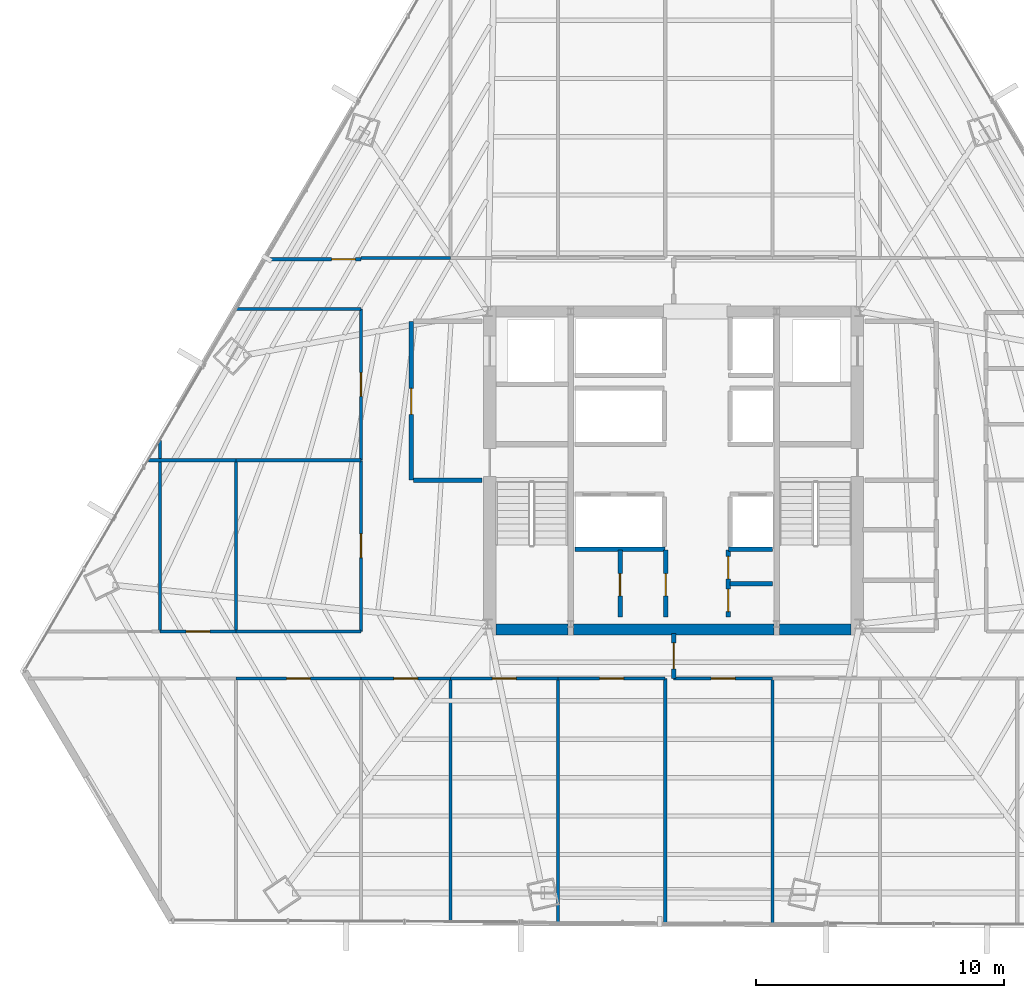
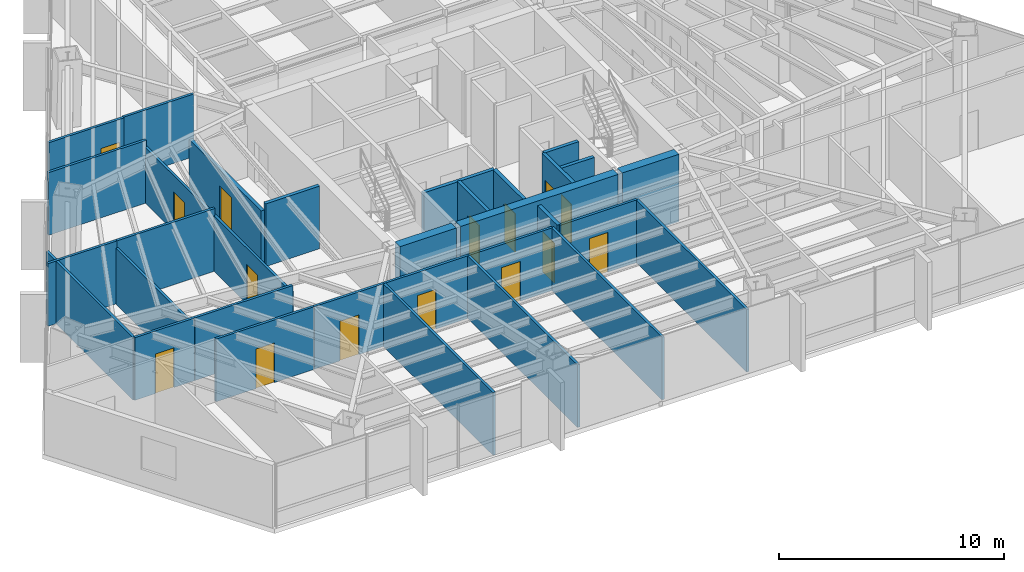
# One storey, part 30 of 36: 32 walls, 15 doors, 15 openings.
"""IFC4 building model written with IfcOpenShell, lengths in metres."""

from ifc_helpers import new_model, si_unit, direction, frame, frame_2d, origin, place, context, subcontext, project, spatial, rectangle, extrude, material, layer, layer_set, type_object, element, fill, save


model = new_model("IFC4")

# Units and contexts
model_context = context("Model", 3, precision=1e-05, world=origin(), true_north=direction((0.0, 1.0)))
body_context = subcontext(model_context, "Body", "Model", "MODEL_VIEW")
ifc_project = project(units=[si_unit("LENGTHUNIT", "METRE"), si_unit("AREAUNIT", "SQUARE_METRE"), si_unit("VOLUMEUNIT", "CUBIC_METRE"), si_unit("PLANEANGLEUNIT", "RADIAN"), si_unit("MASSUNIT", "GRAM", prefix="KILO")], contexts=[model_context])

# Site, building, storey
site_placement = place(None, origin())
site = spatial("IfcSite", under=ifc_project, at=site_placement, CompositionType="ELEMENT")
building_placement = place(site_placement, origin())
building = spatial("IfcBuilding", under=site, at=building_placement, Name="Caelisora Broadcast Tower", CompositionType="ELEMENT")
storey_placement = place(building_placement, frame((0.0, 0.0, 112.699951171875)))
storey = spatial("IfcBuildingStorey", under=building, at=storey_placement, Name="L29", CompositionType="ELEMENT", Elevation=112.699951171875)

# Walls
ifc_material_1 = material(Name="Concrete 50 MPa (AS 3600 S50)", Category="concrete")
ifc_layer_1 = layer(ifc_material_1, 0.449951171875, Name="Concrete 50 MPa (AS 3600 S50)")
ifc_layer_set_1 = layer_set([ifc_layer_1], Name="Concrete 50 MPa (AS 3600 S50)")
wall_type_1 = type_object("IfcWallType", Name="CW5", PredefinedType="SHEAR", material=ifc_layer_set_1)
wall_1_placement = place(storey_placement, frame((30.840087890625, 17.175048828125, 0.0), z_axis=(0.0, 0.0, 1.0), x_axis=(1.0, 0.0, 0.0)))
element("IfcWall", 1, at=wall_1_placement, inside=storey, type_object=wall_type_1, Name="L29 core shear wall CW5", PredefinedType="SHEAR", context=body_context, shape_type="SweptSolid", body=[
    extrude(rectangle(XDim=2.89990234375, YDim=0.449951171875, at=frame_2d((1.449951171875, 0.0))), origin(), (0.0, 0.0, 1.0), 3.650146484375),
])
wall_2_placement = place(storey_placement, frame((33.9599609375, 17.175048828125, 0.0), z_axis=(0.0, 0.0, 1.0), x_axis=(1.0, 0.0, 0.0)))
element("IfcWall", 2, at=wall_2_placement, inside=storey, type_object=wall_type_1, Name="L29 core shear wall CW5", PredefinedType="SHEAR", context=body_context, shape_type="SweptSolid", body=[
    extrude(rectangle(XDim=8.080078125, YDim=0.449951171875, at=frame_2d((4.0400390625, 0.0))), origin(), (0.0, 0.0, 1.0), 3.650146484375),
])
wall_3_placement = place(storey_placement, frame((42.260009765625, 17.175048828125, 0.0), z_axis=(0.0, 0.0, 1.0), x_axis=(1.0, 0.0, 0.0)))
element("IfcWall", 3, at=wall_3_placement, inside=storey, type_object=wall_type_1, Name="L29 core shear wall CW5", PredefinedType="SHEAR", context=body_context, shape_type="SweptSolid", body=[
    extrude(rectangle(XDim=2.89990234375, YDim=0.449951171875, at=frame_2d((1.449951171875, 0.0))), origin(), (0.0, 0.0, 1.0), 3.650146484375),
])

# Wall, opening, door
ifc_material_2 = material(Name="Fire-Rated Gypsum Shaft and Compartment Wall", Category="gypsum")
ifc_layer_2 = layer(ifc_material_2, 0.179931640625, Name="Fire-Rated Gypsum Shaft and Compartment Wall")
ifc_layer_set_2 = layer_set([ifc_layer_2], Name="Fire-Rated Gypsum Shaft and Compartment Wall")
wall_type_2 = type_object("IfcWallType", Name="PW2", PredefinedType="PARTITIONING", material=ifc_layer_set_2)
wall_4_placement = place(storey_placement, frame((27.419921875, 23.199951171875, 0.0), z_axis=(0.0, 0.0, 1.0), x_axis=(0.0, 1.0, 0.0)))
wall_4 = element("IfcWall", 4, at=wall_4_placement, inside=storey, type_object=wall_type_2, Name="L29 fire compartment wall PW2", PredefinedType="PARTITIONING", context=body_context, shape_type="SweptSolid", body=[
    extrude(rectangle(XDim=6.400146484375, YDim=0.179931640625, at=frame_2d((3.2001953125, 0.0))), origin(), (0.0, 0.0, 1.0), 3.0263671875),
])
opening_1_placement = place(wall_4_placement, frame((2.64990234375, 0.0, 0.0)))
opening_1 = element("IfcOpeningElement", 5, at=opening_1_placement, cuts=wall_4, Name="Opening FD02", PredefinedType="OPENING", context=body_context, shape_type="SweptSolid", body=[
    extrude(rectangle(XDim=1.050048828125, YDim=2.14990234375, at=frame_2d((0.52490234375, 1.074951171875))), frame((0.0, 0.10205078125, 0.0), z_axis=(0.0, -1.0, 0.0), x_axis=(1.0, 0.0, 0.0)), (0.0, 0.0, 1.0), 0.203857421875),
])
ifc_material_3 = material(Name="Single-Leaf Steel Fire Lobby Door", Category="steel")
door_type_1 = type_object("IfcDoorType", Name="FD02", OperationType="NOTDEFINED", PredefinedType="DOOR", material=ifc_material_3)
door_1_placement = place(opening_1_placement, origin())
door_1 = element("IfcDoor", 6, at=door_1_placement, inside=storey, type_object=door_type_1, Name="L29 door FD02 (L29-DR-P01D1)", OperationType="SINGLE_SWING_RIGHT", OverallHeight=2.14990234375, OverallWidth=1.050048828125, PredefinedType="DOOR", context=body_context, shape_type="SweptSolid", body=[
    extrude(rectangle(XDim=1.050048828125, YDim=2.14990234375, at=frame_2d((0.52490234375, 1.074951171875))), frame((0.0, 0.02490234375, 0.0), z_axis=(0.0, -1.0, 0.0), x_axis=(1.0, 0.0, 0.0)), (0.0, 0.0, 1.0), 0.050048828125),
])
fill(opening_1, door_1)

# Walls
wall_5_placement = place(storey_placement, frame((27.52001953125, 23.199951171875, 0.0), z_axis=(0.0, 0.0, 1.0), x_axis=(1.0, 0.0, 0.0)))
element("IfcWall", 7, at=wall_5_placement, inside=storey, type_object=wall_type_2, Name="L29 fire compartment wall PW2", PredefinedType="PARTITIONING", context=body_context, shape_type="SweptSolid", body=[
    extrude(rectangle(XDim=2.760009765625, YDim=0.179931640625, at=frame_2d((1.3798828125, 0.0))), origin(), (0.0, 0.0, 1.0), 3.400146484375),
])
wall_6_placement = place(storey_placement, frame((34.02001953125, 20.419921875, 0.0), z_axis=(0.0, 0.0, 1.0), x_axis=(1.0, 0.0, 0.0)))
element("IfcWall", 8, at=wall_6_placement, inside=storey, type_object=wall_type_2, Name="L29 fire compartment wall PW2", PredefinedType="PARTITIONING", context=body_context, shape_type="SweptSolid", body=[
    extrude(rectangle(XDim=3.639892578125, YDim=0.179931640625, at=frame_2d((1.81982421875, 0.0))), origin(), (0.0, 0.0, 1.0), 3.400146484375),
])
wall_7_placement = place(storey_placement, frame((40.219970703125, 20.419921875, 0.0), z_axis=(0.0, 0.0, 1.0), x_axis=(1.0, 0.0, 0.0)))
element("IfcWall", 9, at=wall_7_placement, inside=storey, type_object=wall_type_2, Name="L29 fire compartment wall PW2", PredefinedType="PARTITIONING", context=body_context, shape_type="SweptSolid", body=[
    extrude(rectangle(XDim=1.760009765625, YDim=0.179931640625, at=frame_2d((0.8798828125, 0.0))), origin(), (0.0, 0.0, 1.0), 3.400146484375),
])

# Wall, opening, door
wall_8_placement = place(storey_placement, frame((35.840087890625, 17.679931640625, 0.0), z_axis=(0.0, 0.0, 1.0), x_axis=(0.0, 1.0, 0.0)))
wall_8 = element("IfcWall", 10, at=wall_8_placement, inside=storey, type_object=wall_type_2, Name="L29 fire compartment wall PW2", PredefinedType="PARTITIONING", context=body_context, shape_type="SweptSolid", body=[
    extrude(rectangle(XDim=2.699951171875, YDim=0.179931640625, at=frame_2d((1.35009765625, 0.0))), origin(), (0.0, 0.0, 1.0), 3.400146484375),
])
opening_2_placement = place(wall_8_placement, frame((0.85009765625, 0.0, 0.0)))
opening_2 = element("IfcOpeningElement", 11, at=opening_2_placement, cuts=wall_8, Name="Opening FD03", PredefinedType="OPENING", context=body_context, shape_type="SweptSolid", body=[
    extrude(rectangle(XDim=0.89990234375, YDim=2.10009765625, at=frame_2d((0.449951171875, 1.050048828125))), frame((0.0, 0.10205078125, 0.0), z_axis=(0.0, -1.0, 0.0), x_axis=(1.0, 0.0, 0.0)), (0.0, 0.0, 1.0), 0.203857421875),
])
ifc_material_4 = material(Name="Single-Leaf Steel Riser Fire Access Door", Category="steel")
door_type_2 = type_object("IfcDoorType", Name="FD03", OperationType="NOTDEFINED", PredefinedType="DOOR", material=ifc_material_4)
door_2_placement = place(opening_2_placement, origin())
door_2 = element("IfcDoor", 12, at=door_2_placement, inside=storey, type_object=door_type_2, Name="L29 door FD03 (L29-DR-P11D1)", OperationType="SINGLE_SWING_RIGHT", OverallHeight=2.10009765625, OverallWidth=0.89990234375, PredefinedType="DOOR", context=body_context, shape_type="SweptSolid", body=[
    extrude(rectangle(XDim=0.89990234375, YDim=2.10009765625, at=frame_2d((0.449951171875, 1.050048828125))), frame((0.0, 0.02490234375, 0.0), z_axis=(0.0, -1.0, 0.0), x_axis=(1.0, 0.0, 0.0)), (0.0, 0.0, 1.0), 0.050048828125),
])
fill(opening_2, door_2)

wall_9_placement = place(storey_placement, frame((37.679931640625, 17.679931640625, 0.0), z_axis=(0.0, 0.0, 1.0), x_axis=(0.0, 1.0, 0.0)))
wall_9 = element("IfcWall", 13, at=wall_9_placement, inside=storey, type_object=wall_type_2, Name="L29 fire compartment wall PW2", PredefinedType="PARTITIONING", context=body_context, shape_type="SweptSolid", body=[
    extrude(rectangle(XDim=2.699951171875, YDim=0.179931640625, at=frame_2d((1.35009765625, 0.0))), origin(), (0.0, 0.0, 1.0), 3.400146484375),
])
opening_3_placement = place(wall_9_placement, frame((0.85009765625, 0.0, 0.0)))
opening_3 = element("IfcOpeningElement", 14, at=opening_3_placement, cuts=wall_9, Name="Opening FD03", PredefinedType="OPENING", context=body_context, shape_type="SweptSolid", body=[
    extrude(rectangle(XDim=0.89990234375, YDim=2.10009765625, at=frame_2d((0.449951171875, 1.050048828125))), frame((0.0, 0.10205078125, 0.0), z_axis=(0.0, -1.0, 0.0), x_axis=(1.0, 0.0, 0.0)), (0.0, 0.0, 1.0), 0.203857421875),
])
door_3_placement = place(opening_3_placement, origin())
door_3 = element("IfcDoor", 15, at=door_3_placement, inside=storey, type_object=door_type_2, Name="L29 door FD03 (L29-DR-P12D1)", OperationType="SINGLE_SWING_LEFT", OverallHeight=2.10009765625, OverallWidth=0.89990234375, PredefinedType="DOOR", context=body_context, shape_type="SweptSolid", body=[
    extrude(rectangle(XDim=0.89990234375, YDim=2.10009765625, at=frame_2d((0.449951171875, 1.050048828125))), frame((0.0, 0.02490234375, 0.0), z_axis=(0.0, -1.0, 0.0), x_axis=(1.0, 0.0, 0.0)), (0.0, 0.0, 1.0), 0.050048828125),
])
fill(opening_3, door_3)

# Wall
wall_10_placement = place(storey_placement, frame((40.280029296875, 19.02001953125, 0.0), z_axis=(0.0, 0.0, 1.0), x_axis=(1.0, 0.0, 0.0)))
element("IfcWall", 16, at=wall_10_placement, inside=storey, type_object=wall_type_2, Name="L29 fire compartment wall PW2", PredefinedType="PARTITIONING", context=body_context, shape_type="SweptSolid", body=[
    extrude(rectangle(XDim=1.699951171875, YDim=0.179931640625, at=frame_2d((0.85009765625, 0.0))), origin(), (0.0, 0.0, 1.0), 3.400146484375),
])

# Wall, openings, doors
wall_11_placement = place(storey_placement, frame((40.199951171875, 17.679931640625, 0.0), z_axis=(0.0, 0.0, 1.0), x_axis=(0.0, 1.0, 0.0)))
wall_11 = element("IfcWall", 17, at=wall_11_placement, inside=storey, type_object=wall_type_2, Name="L29 fire compartment wall PW2", PredefinedType="PARTITIONING", context=body_context, shape_type="SweptSolid", body=[
    extrude(rectangle(XDim=2.699951171875, YDim=0.179931640625, at=frame_2d((1.35009765625, 0.0))), origin(), (0.0, 0.0, 1.0), 3.400146484375),
])
opening_4_placement = place(wall_11_placement, frame((0.219970703125, 0.0, 0.0)))
opening_4 = element("IfcOpeningElement", 18, at=opening_4_placement, cuts=wall_11, Name="Opening FD03", PredefinedType="OPENING", context=body_context, shape_type="SweptSolid", body=[
    extrude(rectangle(XDim=0.89990234375, YDim=2.10009765625, at=frame_2d((0.449951171875, 1.050048828125))), frame((0.0, 0.10205078125, 0.0), z_axis=(0.0, -1.0, 0.0), x_axis=(1.0, 0.0, 0.0)), (0.0, 0.0, 1.0), 0.203857421875),
])
opening_5_placement = place(wall_11_placement, frame((1.5400390625, 0.0, 0.0)))
opening_5 = element("IfcOpeningElement", 19, at=opening_5_placement, cuts=wall_11, Name="Opening FD03", PredefinedType="OPENING", context=body_context, shape_type="SweptSolid", body=[
    extrude(rectangle(XDim=0.89990234375, YDim=2.10009765625, at=frame_2d((0.449951171875, 1.050048828125))), frame((0.0, 0.10205078125, 0.0), z_axis=(0.0, -1.0, 0.0), x_axis=(1.0, 0.0, 0.0)), (0.0, 0.0, 1.0), 0.203857421875),
])
door_4_placement = place(opening_4_placement, origin())
door_4 = element("IfcDoor", 20, at=door_4_placement, inside=storey, type_object=door_type_2, Name="L29 door FD03 (L29-DR-P14D1)", OperationType="SINGLE_SWING_RIGHT", OverallHeight=2.10009765625, OverallWidth=0.89990234375, PredefinedType="DOOR", context=body_context, shape_type="SweptSolid", body=[
    extrude(rectangle(XDim=0.89990234375, YDim=2.10009765625, at=frame_2d((0.449951171875, 1.050048828125))), frame((0.0, 0.02490234375, 0.0), z_axis=(0.0, -1.0, 0.0), x_axis=(1.0, 0.0, 0.0)), (0.0, 0.0, 1.0), 0.050048828125),
])
fill(opening_4, door_4)
door_5_placement = place(opening_5_placement, origin())
door_5 = element("IfcDoor", 21, at=door_5_placement, inside=storey, type_object=door_type_2, Name="L29 door FD03 (L29-DR-P14D2)", OperationType="SINGLE_SWING_LEFT", OverallHeight=2.10009765625, OverallWidth=0.89990234375, PredefinedType="DOOR", context=body_context, shape_type="SweptSolid", body=[
    extrude(rectangle(XDim=0.89990234375, YDim=2.10009765625, at=frame_2d((0.449951171875, 1.050048828125))), frame((0.0, 0.02490234375, 0.0), z_axis=(0.0, -1.0, 0.0), x_axis=(1.0, 0.0, 0.0)), (0.0, 0.0, 1.0), 0.050048828125),
])
fill(opening_5, door_5)

# Wall, opening, door
wall_12_placement = place(storey_placement, frame((38.0, 15.205078125, 0.0), z_axis=(0.0, 0.0, 1.0), x_axis=(0.0, 1.0, 0.0)))
wall_12 = element("IfcWall", 22, at=wall_12_placement, inside=storey, type_object=wall_type_2, Name="L29 fire compartment wall PW2", PredefinedType="PARTITIONING", context=body_context, shape_type="SweptSolid", body=[
    extrude(rectangle(XDim=1.81982421875, YDim=0.179931640625, at=frame_2d((0.909912109375, 0.0))), origin(), (0.0, 0.0, 1.0), 3.400146484375),
])
opening_6_placement = place(wall_12_placement, frame((0.385009765625, 0.0, 0.0)))
opening_6 = element("IfcOpeningElement", 23, at=opening_6_placement, cuts=wall_12, Name="Opening FD02", PredefinedType="OPENING", context=body_context, shape_type="SweptSolid", body=[
    extrude(rectangle(XDim=1.050048828125, YDim=2.14990234375, at=frame_2d((0.52490234375, 1.074951171875))), frame((0.0, 0.10205078125, 0.0), z_axis=(0.0, -1.0, 0.0), x_axis=(1.0, 0.0, 0.0)), (0.0, 0.0, 1.0), 0.203857421875),
])
door_6_placement = place(opening_6_placement, origin())
door_6 = element("IfcDoor", 24, at=door_6_placement, inside=storey, type_object=door_type_1, Name="L29 door FD02 (L29-DR-P83D1)", OperationType="SINGLE_SWING_RIGHT", OverallHeight=2.14990234375, OverallWidth=1.050048828125, PredefinedType="DOOR", context=body_context, shape_type="SweptSolid", body=[
    extrude(rectangle(XDim=1.050048828125, YDim=2.14990234375, at=frame_2d((0.52490234375, 1.074951171875))), frame((0.0, 0.02490234375, 0.0), z_axis=(0.0, -1.0, 0.0), x_axis=(1.0, 0.0, 0.0)), (0.0, 0.0, 1.0), 0.050048828125),
])
fill(opening_6, door_6)

# Walls
ifc_material_5 = material(Name="Acoustic Steel-Stud Plasterboard Partition", Category="gypsum")
ifc_layer_3 = layer(ifc_material_5, 0.1298828125, Name="Acoustic Steel-Stud Plasterboard Partition")
ifc_layer_set_3 = layer_set([ifc_layer_3], Name="Acoustic Steel-Stud Plasterboard Partition")
wall_type_3 = type_object("IfcWallType", Name="PW3", PredefinedType="PARTITIONING", material=ifc_layer_set_3)
wall_13_placement = place(storey_placement, frame((41.989990234375, 5.336181640625, 0.0), z_axis=(0.0, 0.0, 1.0), x_axis=(0.0, 1.0, 0.0)))
element("IfcWall", 25, at=wall_13_placement, inside=storey, type_object=wall_type_3, Name="L29 internal partition PW3", PredefinedType="PARTITIONING", context=body_context, shape_type="SweptSolid", body=[
    extrude(rectangle(XDim=9.85888671875, YDim=0.1298828125, at=frame_2d((4.929443359375, 0.0))), origin(), (0.0, 0.0, 1.0), 3.400146484375),
])
wall_14_placement = place(storey_placement, frame((37.659912109375, 5.35595703125, 0.0), z_axis=(0.0, 0.0, 1.0), x_axis=(0.0, 1.0, 0.0)))
element("IfcWall", 26, at=wall_14_placement, inside=storey, type_object=wall_type_3, Name="L29 internal partition PW3", PredefinedType="PARTITIONING", context=body_context, shape_type="SweptSolid", body=[
    extrude(rectangle(XDim=9.839111328125, YDim=0.1298828125, at=frame_2d((4.91943359375, 0.0))), origin(), (0.0, 0.0, 1.0), 3.400146484375),
])
wall_15_placement = place(storey_placement, frame((33.340087890625, 5.3759765625, 0.0), z_axis=(0.0, 0.0, 1.0), x_axis=(0.0, 1.0, 0.0)))
element("IfcWall", 27, at=wall_15_placement, inside=storey, type_object=wall_type_3, Name="L29 internal partition PW3", PredefinedType="PARTITIONING", context=body_context, shape_type="SweptSolid", body=[
    extrude(rectangle(XDim=9.819091796875, YDim=0.1298828125, at=frame_2d((4.90966796875, 0.0))), origin(), (0.0, 0.0, 1.0), 3.400146484375),
])
wall_16_placement = place(storey_placement, frame((29.010009765625, 5.39599609375, 0.0), z_axis=(0.0, 0.0, 1.0), x_axis=(0.0, 1.0, 0.0)))
element("IfcWall", 28, at=wall_16_placement, inside=storey, type_object=wall_type_3, Name="L29 internal partition PW3", PredefinedType="PARTITIONING", context=body_context, shape_type="SweptSolid", body=[
    extrude(rectangle(XDim=9.799072265625, YDim=0.1298828125, at=frame_2d((4.8994140625, 0.0))), origin(), (0.0, 0.0, 1.0), 3.400146484375),
])

# Wall, opening, door
wall_17_placement = place(storey_placement, frame((25.39990234375, 17.10498046875, 0.0), z_axis=(0.0, 0.0, 1.0), x_axis=(0.0, 1.0, 0.0)))
wall_17 = element("IfcWall", 29, at=wall_17_placement, inside=storey, type_object=wall_type_3, Name="L29 internal partition PW3", PredefinedType="PARTITIONING", context=body_context, shape_type="SweptSolid", body=[
    extrude(rectangle(XDim=6.89013671875, YDim=0.1298828125, at=frame_2d((3.445068359375, 0.0))), origin(), (0.0, 0.0, 1.0), 3.0263671875),
])
opening_7_placement = place(wall_17_placement, frame((2.965087890625, 0.0, 0.0)))
opening_7 = element("IfcOpeningElement", 30, at=opening_7_placement, cuts=wall_17, Name="Opening D01", PredefinedType="OPENING", context=body_context, shape_type="SweptSolid", body=[
    extrude(rectangle(XDim=0.9599609375, YDim=2.14990234375, at=frame_2d((0.47998046875, 1.074951171875))), frame((0.0, 0.076904296875, 0.0), z_axis=(0.0, -1.0, 0.0), x_axis=(1.0, 0.0, 0.0)), (0.0, 0.0, 1.0), 0.15380859375),
])
ifc_material_6 = material(Name="Solid-Core Timber Acoustic Office Door", Category="wood")
door_type_3 = type_object("IfcDoorType", Name="D01", OperationType="NOTDEFINED", PredefinedType="DOOR", material=ifc_material_6)
door_7_placement = place(opening_7_placement, origin())
door_7 = element("IfcDoor", 31, at=door_7_placement, inside=storey, type_object=door_type_3, Name="L29 door D01 (L29-DR-P47D1)", OperationType="SINGLE_SWING_LEFT", OverallHeight=2.14990234375, OverallWidth=0.9599609375, PredefinedType="DOOR", context=body_context, shape_type="SweptSolid", body=[
    extrude(rectangle(XDim=0.9599609375, YDim=2.14990234375, at=frame_2d((0.47998046875, 1.074951171875))), frame((0.0, 0.02490234375, 0.0), z_axis=(0.0, -1.0, 0.0), x_axis=(1.0, 0.0, 0.0)), (0.0, 0.0, 1.0), 0.050048828125),
])
fill(opening_7, door_7)

# Walls
wall_18_placement = place(storey_placement, frame((17.2900390625, 17.10498046875, 0.0), z_axis=(0.0, 0.0, 1.0), x_axis=(0.0, 1.0, 0.0)))
element("IfcWall", 32, at=wall_18_placement, inside=storey, type_object=wall_type_3, Name="L29 internal partition PW3", PredefinedType="PARTITIONING", context=body_context, shape_type="SweptSolid", body=[
    extrude(rectangle(XDim=7.69873046875, YDim=0.1298828125, at=frame_2d((3.849365234375, 0.0))), origin(), (0.0, 0.0, 1.0), 3.400146484375),
])
wall_19_placement = place(storey_placement, frame((20.360107421875, 17.10498046875, 0.0), z_axis=(0.0, 0.0, 1.0), x_axis=(0.0, 1.0, 0.0)))
element("IfcWall", 33, at=wall_19_placement, inside=storey, type_object=wall_type_3, Name="L29 internal partition PW3", PredefinedType="PARTITIONING", context=body_context, shape_type="SweptSolid", body=[
    extrude(rectangle(XDim=6.89013671875, YDim=0.1298828125, at=frame_2d((3.445068359375, 0.0))), origin(), (0.0, 0.0, 1.0), 3.0263671875),
])

# Wall, opening, door
wall_20_placement = place(storey_placement, frame((25.39990234375, 24.0048828125, 0.0), z_axis=(0.0, 0.0, 1.0), x_axis=(0.0, 1.0, 0.0)))
wall_20 = element("IfcWall", 34, at=wall_20_placement, inside=storey, type_object=wall_type_3, Name="L29 internal partition PW3", PredefinedType="PARTITIONING", context=body_context, shape_type="SweptSolid", body=[
    extrude(rectangle(XDim=6.090087890625, YDim=0.1298828125, at=frame_2d((3.044921875, 0.0))), origin(), (0.0, 0.0, 1.0), 3.0263671875),
])
opening_8_placement = place(wall_20_placement, frame((2.56494140625, 0.0, 0.0)))
opening_8 = element("IfcOpeningElement", 35, at=opening_8_placement, cuts=wall_20, Name="Opening D01", PredefinedType="OPENING", context=body_context, shape_type="SweptSolid", body=[
    extrude(rectangle(XDim=0.9599609375, YDim=2.14990234375, at=frame_2d((0.47998046875, 1.074951171875))), frame((0.0, 0.076904296875, 0.0), z_axis=(0.0, -1.0, 0.0), x_axis=(1.0, 0.0, 0.0)), (0.0, 0.0, 1.0), 0.15380859375),
])
door_8_placement = place(opening_8_placement, origin())
door_8 = element("IfcDoor", 36, at=door_8_placement, inside=storey, type_object=door_type_3, Name="L29 door D01 (L29-DR-P52D1)", OperationType="SINGLE_SWING_RIGHT", OverallHeight=2.14990234375, OverallWidth=0.9599609375, PredefinedType="DOOR", context=body_context, shape_type="SweptSolid", body=[
    extrude(rectangle(XDim=0.9599609375, YDim=2.14990234375, at=frame_2d((0.47998046875, 1.074951171875))), frame((0.0, 0.02490234375, 0.0), z_axis=(0.0, -1.0, 0.0), x_axis=(1.0, 0.0, 0.0)), (0.0, 0.0, 1.0), 0.050048828125),
])
fill(opening_8, door_8)

# Walls
wall_21_placement = place(storey_placement, frame((25.39501953125, 30.10009765625, 0.0), z_axis=(0.0, 0.0, 1.0), x_axis=(-1.0, 0.0, 0.0)))
element("IfcWall", 37, at=wall_21_placement, inside=storey, type_object=wall_type_3, Name="L29 internal partition PW3", PredefinedType="PARTITIONING", context=body_context, shape_type="SweptSolid", body=[
    extrude(rectangle(XDim=5.019287109375, YDim=0.1298828125, at=frame_2d((2.509765625, 0.0))), origin(), (0.0, 0.0, 1.0), 3.400146484375),
])
wall_22_placement = place(storey_placement, frame((20.364990234375, 17.10009765625, 0.0), z_axis=(0.0, 0.0, 1.0), x_axis=(1.0, 0.0, 0.0)))
element("IfcWall", 38, at=wall_22_placement, inside=storey, type_object=wall_type_3, Name="L29 internal partition PW3", PredefinedType="PARTITIONING", context=body_context, shape_type="SweptSolid", body=[
    extrude(rectangle(XDim=5.030029296875, YDim=0.1298828125, at=frame_2d((2.51513671875, 0.0))), origin(), (0.0, 0.0, 1.0), 3.400146484375),
])

# Wall, opening, door
wall_23_placement = place(storey_placement, frame((20.364990234375, 15.199951171875, 0.0), z_axis=(0.0, 0.0, 1.0), x_axis=(1.0, 0.0, 0.0)))
wall_23 = element("IfcWall", 39, at=wall_23_placement, inside=storey, type_object=wall_type_3, Name="L29 internal partition PW3", PredefinedType="PARTITIONING", context=body_context, shape_type="SweptSolid", body=[
    extrude(rectangle(XDim=5.030029296875, YDim=0.1298828125, at=frame_2d((2.51513671875, 0.0))), origin(), (0.0, 0.0, 1.0), 3.400146484375),
])
opening_9_placement = place(wall_23_placement, frame((2.034912109375, 0.0, 0.0)))
opening_9 = element("IfcOpeningElement", 40, at=opening_9_placement, cuts=wall_23, Name="Opening D01", PredefinedType="OPENING", context=body_context, shape_type="SweptSolid", body=[
    extrude(rectangle(XDim=0.9599609375, YDim=2.14990234375, at=frame_2d((0.47998046875, 1.074951171875))), frame((0.0, 0.076904296875, 0.0), z_axis=(0.0, -1.0, 0.0), x_axis=(1.0, 0.0, 0.0)), (0.0, 0.0, 1.0), 0.15380859375),
])
door_9_placement = place(opening_9_placement, origin())
door_9 = element("IfcDoor", 41, at=door_9_placement, inside=storey, type_object=door_type_3, Name="L29 door D01 (L29-DR-P58D1)", OperationType="SINGLE_SWING_RIGHT", OverallHeight=2.14990234375, OverallWidth=0.9599609375, PredefinedType="DOOR", context=body_context, shape_type="SweptSolid", body=[
    extrude(rectangle(XDim=0.9599609375, YDim=2.14990234375, at=frame_2d((0.47998046875, 1.074951171875))), frame((0.0, 0.02490234375, 0.0), z_axis=(0.0, -1.0, 0.0), x_axis=(1.0, 0.0, 0.0)), (0.0, 0.0, 1.0), 0.050048828125),
])
fill(opening_9, door_9)

# Wall
wall_24_placement = place(storey_placement, frame((20.364990234375, 24.0, 0.0), z_axis=(0.0, 0.0, 1.0), x_axis=(1.0, 0.0, 0.0)))
element("IfcWall", 42, at=wall_24_placement, inside=storey, type_object=wall_type_3, Name="L29 internal partition PW3", PredefinedType="PARTITIONING", context=body_context, shape_type="SweptSolid", body=[
    extrude(rectangle(XDim=5.030029296875, YDim=0.1298828125, at=frame_2d((2.51513671875, 0.0))), origin(), (0.0, 0.0, 1.0), 3.400146484375),
])

# Wall, opening, door
wall_25_placement = place(storey_placement, frame((29.014892578125, 15.199951171875, 0.0), z_axis=(0.0, 0.0, 1.0), x_axis=(1.0, 0.0, 0.0)))
wall_25 = element("IfcWall", 43, at=wall_25_placement, inside=storey, type_object=wall_type_3, Name="L29 internal partition PW3", PredefinedType="PARTITIONING", context=body_context, shape_type="SweptSolid", body=[
    extrude(rectangle(XDim=4.320068359375, YDim=0.1298828125, at=frame_2d((2.16015625, 0.0))), origin(), (0.0, 0.0, 1.0), 3.400146484375),
])
opening_10_placement = place(wall_25_placement, frame((1.679931640625, 0.0, 0.0)))
opening_10 = element("IfcOpeningElement", 44, at=opening_10_placement, cuts=wall_25, Name="Opening D01", PredefinedType="OPENING", context=body_context, shape_type="SweptSolid", body=[
    extrude(rectangle(XDim=0.9599609375, YDim=2.14990234375, at=frame_2d((0.47998046875, 1.074951171875))), frame((0.0, 0.076904296875, 0.0), z_axis=(0.0, -1.0, 0.0), x_axis=(1.0, 0.0, 0.0)), (0.0, 0.0, 1.0), 0.15380859375),
])
door_10_placement = place(opening_10_placement, origin())
door_10 = element("IfcDoor", 45, at=door_10_placement, inside=storey, type_object=door_type_3, Name="L29 door D01 (L29-DR-P63D1)", OperationType="SINGLE_SWING_LEFT", OverallHeight=2.14990234375, OverallWidth=0.9599609375, PredefinedType="DOOR", context=body_context, shape_type="SweptSolid", body=[
    extrude(rectangle(XDim=0.9599609375, YDim=2.14990234375, at=frame_2d((0.47998046875, 1.074951171875))), frame((0.0, 0.02490234375, 0.0), z_axis=(0.0, -1.0, 0.0), x_axis=(1.0, 0.0, 0.0)), (0.0, 0.0, 1.0), 0.050048828125),
])
fill(opening_10, door_10)

wall_26_placement = place(storey_placement, frame((33.344970703125, 15.199951171875, 0.0), z_axis=(0.0, 0.0, 1.0), x_axis=(1.0, 0.0, 0.0)))
wall_26 = element("IfcWall", 46, at=wall_26_placement, inside=storey, type_object=wall_type_3, Name="L29 internal partition PW3", PredefinedType="PARTITIONING", context=body_context, shape_type="SweptSolid", body=[
    extrude(rectangle(XDim=4.31005859375, YDim=0.1298828125, at=frame_2d((2.155029296875, 0.0))), origin(), (0.0, 0.0, 1.0), 3.400146484375),
])
opening_11_placement = place(wall_26_placement, frame((1.675048828125, 0.0, 0.0)))
opening_11 = element("IfcOpeningElement", 47, at=opening_11_placement, cuts=wall_26, Name="Opening D01", PredefinedType="OPENING", context=body_context, shape_type="SweptSolid", body=[
    extrude(rectangle(XDim=0.9599609375, YDim=2.14990234375, at=frame_2d((0.47998046875, 1.074951171875))), frame((0.0, 0.076904296875, 0.0), z_axis=(0.0, -1.0, 0.0), x_axis=(1.0, 0.0, 0.0)), (0.0, 0.0, 1.0), 0.15380859375),
])
door_11_placement = place(opening_11_placement, origin())
door_11 = element("IfcDoor", 48, at=door_11_placement, inside=storey, type_object=door_type_3, Name="L29 door D01 (L29-DR-P70D1)", OperationType="SINGLE_SWING_LEFT", OverallHeight=2.14990234375, OverallWidth=0.9599609375, PredefinedType="DOOR", context=body_context, shape_type="SweptSolid", body=[
    extrude(rectangle(XDim=0.9599609375, YDim=2.14990234375, at=frame_2d((0.47998046875, 1.074951171875))), frame((0.0, 0.02490234375, 0.0), z_axis=(0.0, -1.0, 0.0), x_axis=(1.0, 0.0, 0.0)), (0.0, 0.0, 1.0), 0.050048828125),
])
fill(opening_11, door_11)

wall_27_placement = place(storey_placement, frame((38.0048828125, 15.199951171875, 0.0), z_axis=(0.0, 0.0, 1.0), x_axis=(1.0, 0.0, 0.0)))
wall_27 = element("IfcWall", 49, at=wall_27_placement, inside=storey, type_object=wall_type_3, Name="L29 internal partition PW3", PredefinedType="PARTITIONING", context=body_context, shape_type="SweptSolid", body=[
    extrude(rectangle(XDim=3.980224609375, YDim=0.1298828125, at=frame_2d((1.990234375, 0.0))), origin(), (0.0, 0.0, 1.0), 3.400146484375),
])
opening_12_placement = place(wall_27_placement, frame((1.510009765625, 0.0, 0.0)))
opening_12 = element("IfcOpeningElement", 50, at=opening_12_placement, cuts=wall_27, Name="Opening D01", PredefinedType="OPENING", context=body_context, shape_type="SweptSolid", body=[
    extrude(rectangle(XDim=0.9599609375, YDim=2.14990234375, at=frame_2d((0.47998046875, 1.074951171875))), frame((0.0, 0.076904296875, 0.0), z_axis=(0.0, -1.0, 0.0), x_axis=(1.0, 0.0, 0.0)), (0.0, 0.0, 1.0), 0.15380859375),
])
door_12_placement = place(opening_12_placement, origin())
door_12 = element("IfcDoor", 51, at=door_12_placement, inside=storey, type_object=door_type_3, Name="L29 door D01 (L29-DR-P75D1)", OperationType="SINGLE_SWING_RIGHT", OverallHeight=2.14990234375, OverallWidth=0.9599609375, PredefinedType="DOOR", context=body_context, shape_type="SweptSolid", body=[
    extrude(rectangle(XDim=0.9599609375, YDim=2.14990234375, at=frame_2d((0.47998046875, 1.074951171875))), frame((0.0, 0.02490234375, 0.0), z_axis=(0.0, -1.0, 0.0), x_axis=(1.0, 0.0, 0.0)), (0.0, 0.0, 1.0), 0.050048828125),
])
fill(opening_12, door_12)

wall_28_placement = place(storey_placement, frame((21.547607421875, 32.10009765625, 0.0), z_axis=(0.0, 0.0, 1.0), x_axis=(1.0, 0.0, 0.0)))
wall_28 = element("IfcWall", 52, at=wall_28_placement, inside=storey, type_object=wall_type_3, Name="L29 internal partition PW3", PredefinedType="PARTITIONING", context=body_context, shape_type="SweptSolid", body=[
    extrude(rectangle(XDim=3.847412109375, YDim=0.1298828125, at=frame_2d((1.923828125, 0.0))), origin(), (0.0, 0.0, 1.0), 3.400146484375),
])
opening_13_placement = place(wall_28_placement, frame((2.667236328125, 0.0, 0.0)))
opening_13 = element("IfcOpeningElement", 53, at=opening_13_placement, cuts=wall_28, Name="Opening D01", PredefinedType="OPENING", context=body_context, shape_type="SweptSolid", body=[
    extrude(rectangle(XDim=0.9599609375, YDim=2.14990234375, at=frame_2d((0.47998046875, 1.074951171875))), frame((0.0, 0.076904296875, 0.0), z_axis=(0.0, -1.0, 0.0), x_axis=(1.0, 0.0, 0.0)), (0.0, 0.0, 1.0), 0.15380859375),
])
door_13_placement = place(opening_13_placement, origin())
door_13 = element("IfcDoor", 54, at=door_13_placement, inside=storey, type_object=door_type_3, Name="L29 door D01 (L29-DR-P76D1)", OperationType="SINGLE_SWING_LEFT", OverallHeight=2.14990234375, OverallWidth=0.9599609375, PredefinedType="DOOR", context=body_context, shape_type="SweptSolid", body=[
    extrude(rectangle(XDim=0.9599609375, YDim=2.14990234375, at=frame_2d((0.47998046875, 1.074951171875))), frame((0.0, 0.02490234375, 0.0), z_axis=(0.0, -1.0, 0.0), x_axis=(1.0, 0.0, 0.0)), (0.0, 0.0, 1.0), 0.050048828125),
])
fill(opening_13, door_13)

# Wall
wall_29_placement = place(storey_placement, frame((25.405029296875, 32.14990234375, 0.0), z_axis=(0.0, 0.0, 1.0), x_axis=(1.0, 0.0, 0.0)))
element("IfcWall", 55, at=wall_29_placement, inside=storey, type_object=wall_type_3, Name="L29 internal partition PW3", PredefinedType="PARTITIONING", context=body_context, shape_type="SweptSolid", body=[
    extrude(rectangle(XDim=3.599853515625, YDim=0.1298828125, at=frame_2d((1.7998046875, 0.0))), origin(), (0.0, 0.0, 1.0), 3.400146484375),
])

# Wall, opening, door
wall_30_placement = place(storey_placement, frame((25.405029296875, 15.199951171875, 0.0), z_axis=(0.0, 0.0, 1.0), x_axis=(1.0, 0.0, 0.0)))
wall_30 = element("IfcWall", 56, at=wall_30_placement, inside=storey, type_object=wall_type_3, Name="L29 internal partition PW3", PredefinedType="PARTITIONING", context=body_context, shape_type="SweptSolid", body=[
    extrude(rectangle(XDim=3.599853515625, YDim=0.1298828125, at=frame_2d((1.7998046875, 0.0))), origin(), (0.0, 0.0, 1.0), 3.400146484375),
])
opening_14_placement = place(wall_30_placement, frame((1.320068359375, 0.0, 0.0)))
opening_14 = element("IfcOpeningElement", 57, at=opening_14_placement, cuts=wall_30, Name="Opening D01", PredefinedType="OPENING", context=body_context, shape_type="SweptSolid", body=[
    extrude(rectangle(XDim=0.9599609375, YDim=2.14990234375, at=frame_2d((0.47998046875, 1.074951171875))), frame((0.0, 0.076904296875, 0.0), z_axis=(0.0, -1.0, 0.0), x_axis=(1.0, 0.0, 0.0)), (0.0, 0.0, 1.0), 0.15380859375),
])
door_14_placement = place(opening_14_placement, origin())
door_14 = element("IfcDoor", 58, at=door_14_placement, inside=storey, type_object=door_type_3, Name="L29 door D01 (L29-DR-P78D1)", OperationType="SINGLE_SWING_RIGHT", OverallHeight=2.14990234375, OverallWidth=0.9599609375, PredefinedType="DOOR", context=body_context, shape_type="SweptSolid", body=[
    extrude(rectangle(XDim=0.9599609375, YDim=2.14990234375, at=frame_2d((0.47998046875, 1.074951171875))), frame((0.0, 0.02490234375, 0.0), z_axis=(0.0, -1.0, 0.0), x_axis=(1.0, 0.0, 0.0)), (0.0, 0.0, 1.0), 0.050048828125),
])
fill(opening_14, door_14)

wall_31_placement = place(storey_placement, frame((17.294921875, 17.10009765625, 0.0), z_axis=(0.0, 0.0, 1.0), x_axis=(1.0, 0.0, 0.0)))
wall_31 = element("IfcWall", 59, at=wall_31_placement, inside=storey, type_object=wall_type_3, Name="L29 internal partition PW3", PredefinedType="PARTITIONING", context=body_context, shape_type="SweptSolid", body=[
    extrude(rectangle(XDim=3.06005859375, YDim=0.1298828125, at=frame_2d((1.530029296875, 0.0))), origin(), (0.0, 0.0, 1.0), 3.400146484375),
])
opening_15_placement = place(wall_31_placement, frame((1.050048828125, 0.0, 0.0)))
opening_15 = element("IfcOpeningElement", 60, at=opening_15_placement, cuts=wall_31, Name="Opening D01", PredefinedType="OPENING", context=body_context, shape_type="SweptSolid", body=[
    extrude(rectangle(XDim=0.9599609375, YDim=2.14990234375, at=frame_2d((0.47998046875, 1.074951171875))), frame((0.0, 0.076904296875, 0.0), z_axis=(0.0, -1.0, 0.0), x_axis=(1.0, 0.0, 0.0)), (0.0, 0.0, 1.0), 0.15380859375),
])
door_15_placement = place(opening_15_placement, origin())
door_15 = element("IfcDoor", 61, at=door_15_placement, inside=storey, type_object=door_type_3, Name="L29 door D01 (L29-DR-P80D1)", OperationType="SINGLE_SWING_RIGHT", OverallHeight=2.14990234375, OverallWidth=0.9599609375, PredefinedType="DOOR", context=body_context, shape_type="SweptSolid", body=[
    extrude(rectangle(XDim=0.9599609375, YDim=2.14990234375, at=frame_2d((0.47998046875, 1.074951171875))), frame((0.0, 0.02490234375, 0.0), z_axis=(0.0, -1.0, 0.0), x_axis=(1.0, 0.0, 0.0)), (0.0, 0.0, 1.0), 0.050048828125),
])
fill(opening_15, door_15)

# Wall
wall_32_placement = place(storey_placement, frame((16.827392578125, 24.0, 0.0), z_axis=(0.0, 0.0, 1.0), x_axis=(1.0, 0.0, 0.0)))
element("IfcWall", 62, at=wall_32_placement, inside=storey, type_object=wall_type_3, Name="L29 internal partition PW3", PredefinedType="PARTITIONING", context=body_context, shape_type="SweptSolid", body=[
    extrude(rectangle(XDim=3.527587890625, YDim=0.1298828125, at=frame_2d((1.763671875, 0.0))), origin(), (0.0, 0.0, 1.0), 3.400146484375),
])

save(model, "model.ifc")
